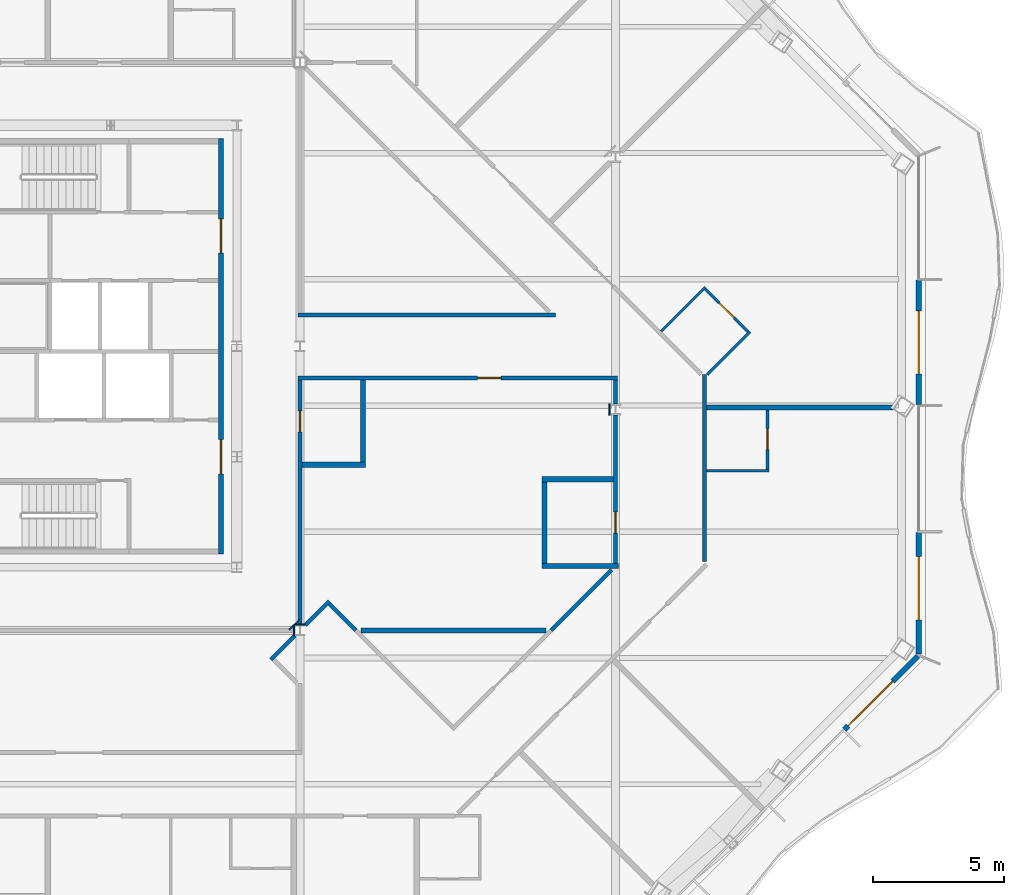
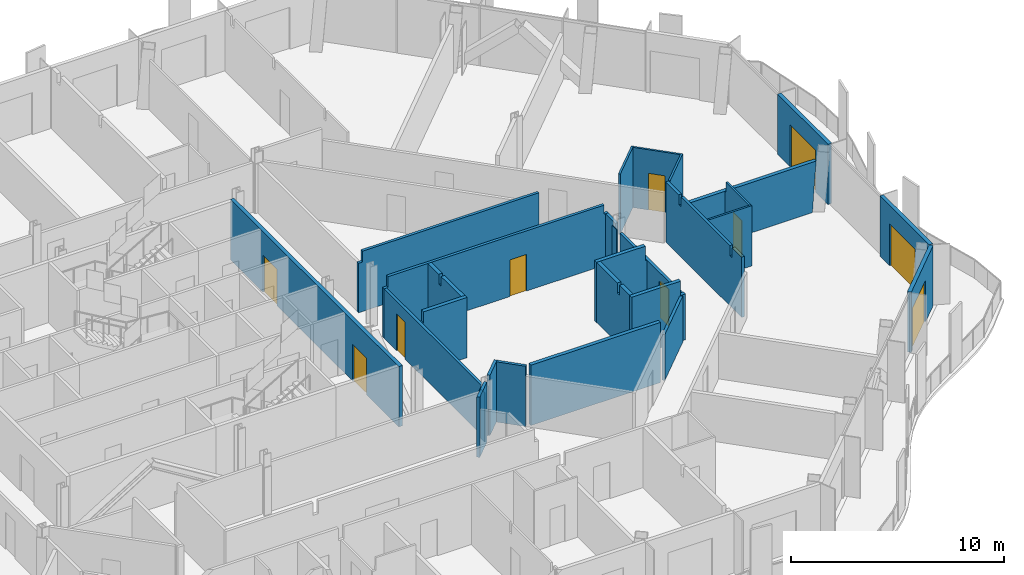
# One storey, part 10 of 19: 30 walls, 10 doors, 10 openings.
"""IFC4 building model written with IfcOpenShell, lengths in metres."""

import ifcopenshell
import ifcopenshell.guid

model = None  # the IFC model being written
_history = None  # IfcOwnerHistory: only IFC2X3 demands one
_inside = {}  # id of a spatial element -> (the spatial element, [elements in it])
_under = {}  # id of a project, library or spatial element -> (it, [spatial elements below it])
_declared = {}  # id of a project -> (the project, [libraries it declares])
_typed = {}  # id of a type object -> (the type object, [elements of that type])
_made_of = {}  # id of a material, layer set ... -> (it, [elements and type objects made of it])


def new_model(schema):
    """Start an empty IFC model of exactly this schema.

    Asked for "IFC4X3", IfcOpenShell would pick the latest addendum, in which some entities
    have other attributes; the version numbers below select the first issue.
    IFC2X3 requires an IfcOwnerHistory on every rooted entity: one is made here for all.
    """
    global model, _history
    if schema == "IFC4X3":
        model = ifcopenshell.file(schema_version=(4, 3, 0, 0))
    else:
        model = ifcopenshell.file(schema=schema)
    _inside.clear()
    _under.clear()
    _declared.clear()
    _typed.clear()
    _made_of.clear()
    _history = None
    if model.schema == "IFC2X3":
        org = make("IfcOrganization", Name="unknown")
        user = make(
            "IfcPersonAndOrganization",
            ThePerson=make("IfcPerson", FamilyName="unknown"),
            TheOrganization=org,
        )
        app = make(
            "IfcApplication",
            ApplicationDeveloper=org,
            Version="unknown",
            ApplicationFullName="unknown",
            ApplicationIdentifier="unknown",
        )
        _history = make(
            "IfcOwnerHistory",
            OwningUser=user,
            OwningApplication=app,
            ChangeAction="ADDED",
            CreationDate=0,
        )
    return model


def make(cls, **values):
    """One entity of the class cls with the attributes given. An attribute that is None is left unset."""
    return model.create_entity(
        cls, **{name: value for name, value in values.items() if value is not None}
    )


def rooted(cls, **values):
    """An entity with a GlobalId (a new one), such as an element, a storey or a relation."""
    return make(cls, GlobalId=ifcopenshell.guid.new(), OwnerHistory=_history, **values)


def si_unit(unit_type, name, prefix=None):
    """IfcSIUnit, for example si_unit("LENGTHUNIT", "METRE", prefix="MILLI")."""
    return make("IfcSIUnit", UnitType=unit_type, Prefix=prefix, Name=name)


def assignment(units):
    """IfcUnitAssignment: the units of a project."""
    return None if units is None else make("IfcUnitAssignment", Units=units)


def point(xyz):
    """IfcCartesianPoint."""
    return None if xyz is None else make("IfcCartesianPoint", Coordinates=xyz)


def direction(xyz):
    """IfcDirection."""
    return None if xyz is None else make("IfcDirection", DirectionRatios=xyz)


def frame(location, z_axis=None, x_axis=None):
    """IfcAxis2Placement3D, a coordinate frame: its origin and axes. An axis left out is left unset."""
    return make(
        "IfcAxis2Placement3D",
        Location=point(location),
        Axis=direction(z_axis),
        RefDirection=direction(x_axis),
    )


def frame_2d(location, x_axis=None):
    """IfcAxis2Placement2D, a coordinate frame in the plane: its origin and x axis."""
    return make(
        "IfcAxis2Placement2D", Location=point(location), RefDirection=direction(x_axis)
    )


def origin():
    """The frame at (0, 0, 0) with its axes left unset."""
    return frame((0.0, 0.0, 0.0))


def place(relative_to, where):
    """IfcLocalPlacement: puts the frame where relative to a parent placement (None: the world)."""
    return make(
        "IfcLocalPlacement", PlacementRelTo=relative_to, RelativePlacement=where
    )


def context(
    kind, dimensions, precision=None, world=None, true_north=None, identifier=None
):
    """IfcGeometricRepresentationContext, for example the 3D "Model" context."""
    return make(
        "IfcGeometricRepresentationContext",
        ContextIdentifier=identifier,
        ContextType=kind,
        CoordinateSpaceDimension=dimensions,
        Precision=precision,
        WorldCoordinateSystem=world,
        TrueNorth=true_north,
    )


def subcontext(parent, identifier, kind, view, scale=None):
    """IfcGeometricRepresentationSubContext, for example "Body" below "Model"."""
    return make(
        "IfcGeometricRepresentationSubContext",
        ContextIdentifier=identifier,
        ContextType=kind,
        ParentContext=parent,
        TargetScale=scale,
        TargetView=view,
    )


def project(units=None, contexts=None):
    """IfcProject with its units and contexts."""
    return rooted(
        "IfcProject",
        Name="project",
        RepresentationContexts=contexts,
        UnitsInContext=assignment(units),
    )


def spatial(cls, under=None, at=None, **own):
    """A site, building, storey or space (cls), placed at a placement, below another one or the project."""
    s = rooted(cls, ObjectPlacement=at, **own)
    if under is not None:
        _under.setdefault(under.id(), (under, []))[1].append(s)
    return s


def polyline(points):
    """IfcPolyline through the points."""
    return make("IfcPolyline", Points=[point(p) for p in points])


def profile(cls, at=None, kind="AREA", **sizes):
    """A parametric profile (cls). Its sizes go by their IFC names, for example OverallWidth=200.0."""
    return make(cls, ProfileType=kind, Position=at, **sizes)


def rectangle(**sizes):
    """IfcRectangleProfileDef."""
    return profile("IfcRectangleProfileDef", **sizes)


def outline(outer, holes=None, kind="AREA"):
    """IfcArbitraryClosedProfileDef: a profile drawn as a closed curve; with holes, ...WithVoids."""
    if holes is None:
        return make("IfcArbitraryClosedProfileDef", ProfileType=kind, OuterCurve=outer)
    return make(
        "IfcArbitraryProfileDefWithVoids",
        ProfileType=kind,
        OuterCurve=outer,
        InnerCurves=holes,
    )


def extrude(swept, where, along, depth):
    """IfcExtrudedAreaSolid: the profile swept, set in the frame where, extruded along a direction by depth."""
    return make(
        "IfcExtrudedAreaSolid",
        SweptArea=swept,
        Position=where,
        ExtrudedDirection=direction(along),
        Depth=depth,
    )


def shape(context_of_items, identifier, shape_type, items):
    """IfcShapeRepresentation: the items that make up one representation, for example the "Body"."""
    return make(
        "IfcShapeRepresentation",
        ContextOfItems=context_of_items,
        RepresentationIdentifier=identifier,
        RepresentationType=shape_type,
        Items=items,
    )


def material(Name=None, Category=None):
    """IfcMaterial."""
    return make("IfcMaterial", Name=Name, Category=Category)


def layer(
    of_material, thickness, ventilated=None, Name=None, Category=None, Priority=None
):
    """IfcMaterialLayer: one layer of a wall or slab, of a material (None: an air gap)."""
    return make(
        "IfcMaterialLayer",
        Material=of_material,
        LayerThickness=thickness,
        IsVentilated=ventilated,
        Name=Name,
        Category=Category,
        Priority=Priority,
    )


def layer_set(layers, Name=None):
    """IfcMaterialLayerSet."""
    return make("IfcMaterialLayerSet", MaterialLayers=layers, LayerSetName=Name)


def made_of(thing, what):
    """Note that an element or type object is made of a material, layer set ...; save() writes the relation."""
    if what is not None:
        _made_of.setdefault(what.id(), (what, []))[1].append(thing)
    return thing


def type_object(cls, material=None, **own):
    """A type object (cls), such as IfcWallType, which elements share."""
    return made_of(rooted(cls, **own), material)


def element(
    cls,
    number,
    at=None,
    inside=None,
    cuts=None,
    type_object=None,
    material=None,
    context=None,
    identifier="Body",
    shape_type=None,
    held_by="IfcProductDefinitionShape",
    body=None,
    shapes=None,
    **own,
):
    """One element of the class cls, such as IfcWall. Its Tag is "e" and its number.

    at: its placement. inside: the storey or other place that contains it. cuts: it is an
    opening in that element (IfcRelVoidsElement). A single representation is given by context,
    identifier, shape_type and body (its items); several are given by shapes. held_by: the class
    of the entity that holds the representations. save() writes the other relations.
    """
    e = rooted(cls, Tag="e%d" % number, ObjectPlacement=at, **own)
    if body is not None:
        shapes = [shape(context, identifier, shape_type, body)]
    if shapes is not None:
        e.Representation = make(held_by, Representations=shapes)
    if inside is not None:
        _inside.setdefault(inside.id(), (inside, []))[1].append(e)
    if cuts is not None:
        rooted(
            "IfcRelVoidsElement", RelatingBuildingElement=cuts, RelatedOpeningElement=e
        )
    if type_object is not None:
        _typed.setdefault(type_object.id(), (type_object, []))[1].append(e)
    return made_of(e, material)


def fill(opening, filler):
    """IfcRelFillsElement: the door or window that sits in an opening."""
    return rooted(
        "IfcRelFillsElement",
        RelatingOpeningElement=opening,
        RelatedBuildingElement=filler,
    )


def aggregate(whole, parts):
    """IfcRelAggregates: a whole, such as a stair, and the parts it consists of."""
    return rooted("IfcRelAggregates", RelatingObject=whole, RelatedObjects=parts)


def save(model, path):
    """Write the relations noted so far, then the file.

    IfcRelAggregates (storeys below a building ...), IfcRelContainedInSpatialStructure (elements
    in a storey), IfcRelDefinesByType, IfcRelAssociatesMaterial and IfcRelDeclares: one each for
    every whole, place, type object, material and project.
    """
    for whole, parts in _under.values():
        aggregate(whole, parts)
    for where, things in _inside.values():
        rooted(
            "IfcRelContainedInSpatialStructure",
            RelatedElements=things,
            RelatingStructure=where,
        )
    for kind, things in _typed.values():
        rooted("IfcRelDefinesByType", RelatedObjects=things, RelatingType=kind)
    for what, things in _made_of.values():
        rooted("IfcRelAssociatesMaterial", RelatedObjects=things, RelatingMaterial=what)
    for by, libraries in _declared.values():
        rooted("IfcRelDeclares", RelatingContext=by, RelatedDefinitions=libraries)
    model.write(path)


model = new_model("IFC4")

# Units and contexts
model_context = context("Model", 3, precision=1e-05, world=origin(), true_north=direction((0.0, 1.0)))
body_context = subcontext(model_context, "Body", "Model", "MODEL_VIEW")
ifc_project = project(units=[si_unit("LENGTHUNIT", "METRE"), si_unit("AREAUNIT", "SQUARE_METRE"), si_unit("VOLUMEUNIT", "CUBIC_METRE"), si_unit("PLANEANGLEUNIT", "RADIAN"), si_unit("MASSUNIT", "GRAM", prefix="KILO")], contexts=[model_context])

# Site, building, storey
site_placement = place(None, origin())
site = spatial("IfcSite", under=ifc_project, at=site_placement, CompositionType="ELEMENT")
building_placement = place(site_placement, origin())
building = spatial("IfcBuilding", under=site, at=building_placement, Name="Cairn Pilgrim Tower", CompositionType="ELEMENT")
storey_placement = place(building_placement, frame((0.0, 0.0, 197.39990234375)))
storey = spatial("IfcBuildingStorey", under=building, at=storey_placement, Name="L50", CompositionType="ELEMENT", Elevation=197.39990234375)

# Wall, opening, door
ifc_material_1 = material(Name="Bronze anodised aluminium insulated sandwich panel with mineral wool fill", Category="aluminium")
ifc_layer_1 = layer(ifc_material_1, 0.199951171875)
ifc_layer_set_1 = layer_set([ifc_layer_1], Name="BRONZE INFILL FRAME WALL 200")
wall_type_1 = type_object("IfcWallType", Name="BRONZE INFILL FRAME WALL 200", PredefinedType="NOTDEFINED", material=ifc_layer_set_1)
wall_1_placement = place(storey_placement, frame((39.8955078125, -12.176025390625, 0.0), z_axis=(0.0, 0.0, 1.0), x_axis=(0.707106781187, 0.707106781187, 0.0)))
wall_1 = element("IfcWall", 1, at=wall_1_placement, inside=storey, type_object=wall_type_1, Name="Bronze infill frame wall IW-SE5", PredefinedType="NOTDEFINED", context=body_context, shape_type="SweptSolid", body=[
    extrude(rectangle(XDim=3.961669921875, YDim=0.199951171875, at=frame_2d((1.98095703125, 0.0))), origin(), (0.0, 0.0, 1.0), 3.4501953125),
])
opening_1_placement = place(wall_1_placement, frame((0.199951171875, 0.0, 0.0)))
opening_1 = element("IfcOpeningElement", 2, at=opening_1_placement, cuts=wall_1, Name="Opening 5004B", PredefinedType="OPENING", context=body_context, shape_type="SweptSolid", body=[
    extrude(rectangle(XDim=2.39990234375, YDim=2.39990234375, at=frame_2d((1.199951171875, 1.199951171875))), frame((0.0, 0.10986328125, 0.0), z_axis=(0.0, -1.0, 0.0), x_axis=(1.0, 0.0, 0.0)), (0.0, 0.0, 1.0), 0.219970703125),
])
ifc_material_2 = material(Name="Bronze anodised aluminium frame with tinted low-E glass", Category="aluminium")
door_type_1 = type_object("IfcDoorType", Name="BALCONY SLIDING DOOR 2400x2400", OperationType="DOUBLE_DOOR_SLIDING", PredefinedType="DOOR", material=ifc_material_2)
door_1_placement = place(opening_1_placement, origin())
door_1 = element("IfcDoor", 3, at=door_1_placement, inside=storey, type_object=door_type_1, Name="Balcony sliding door 5004B", OperationType="SINGLE_SWING_LEFT", OverallHeight=2.39990234375, OverallWidth=2.39990234375, PredefinedType="DOOR", context=body_context, shape_type="SweptSolid", body=[
    extrude(rectangle(XDim=2.39990234375, YDim=2.39990234375, at=frame_2d((1.199951171875, 1.199951171875))), frame((0.0, 0.02490234375, 0.0), z_axis=(0.0, -1.0, 0.0), x_axis=(1.0, 0.0, 0.0)), (0.0, 0.0, 1.0), 0.050048828125),
])
fill(opening_1, door_1)

wall_2_placement = place(storey_placement, frame((42.72509765625, -9.306396484375, 0.0), z_axis=(0.0, 0.0, 1.0), x_axis=(0.0, 1.0, 0.0)))
wall_2 = element("IfcWall", 4, at=wall_2_placement, inside=storey, type_object=wall_type_1, Name="Bronze infill frame wall IW-E1", PredefinedType="NOTDEFINED", context=body_context, shape_type="SweptSolid", body=[
    extrude(rectangle(XDim=4.62646484375, YDim=0.199951171875, at=frame_2d((2.313232421875, 0.0))), origin(), (0.0, 0.0, 1.0), 3.4501953125),
])
opening_2_placement = place(wall_2_placement, frame((1.308349609375, 0.0, 0.0)))
opening_2 = element("IfcOpeningElement", 5, at=opening_2_placement, cuts=wall_2, Name="Opening 5004B2", PredefinedType="OPENING", context=body_context, shape_type="SweptSolid", body=[
    extrude(rectangle(XDim=2.39990234375, YDim=2.39990234375, at=frame_2d((1.199951171875, 1.199951171875))), frame((0.0, 0.10986328125, 0.0), z_axis=(0.0, -1.0, 0.0), x_axis=(1.0, 0.0, 0.0)), (0.0, 0.0, 1.0), 0.219970703125),
])
door_2_placement = place(opening_2_placement, origin())
door_2 = element("IfcDoor", 6, at=door_2_placement, inside=storey, type_object=door_type_1, Name="Balcony sliding door 5004B2", OperationType="SINGLE_SWING_LEFT", OverallHeight=2.39990234375, OverallWidth=2.39990234375, PredefinedType="DOOR", context=body_context, shape_type="SweptSolid", body=[
    extrude(rectangle(XDim=2.39990234375, YDim=2.39990234375, at=frame_2d((1.199951171875, 1.199951171875))), frame((0.0, 0.02490234375, 0.0), z_axis=(0.0, -1.0, 0.0), x_axis=(1.0, 0.0, 0.0)), (0.0, 0.0, 1.0), 0.050048828125),
])
fill(opening_2, door_2)

wall_3_placement = place(storey_placement, frame((42.72509765625, 0.179931640625, 0.0), z_axis=(0.0, 0.0, 1.0), x_axis=(0.0, 1.0, 0.0)))
wall_3 = element("IfcWall", 7, at=wall_3_placement, inside=storey, type_object=wall_type_1, Name="Bronze infill frame wall IW-E3", PredefinedType="NOTDEFINED", context=body_context, shape_type="SweptSolid", body=[
    extrude(rectangle(XDim=4.739990234375, YDim=0.199951171875, at=frame_2d((2.3701171875, 0.0))), origin(), (0.0, 0.0, 1.0), 3.4501953125),
])
opening_3_placement = place(wall_3_placement, frame((1.169921875, 0.0, 0.0)))
opening_3 = element("IfcOpeningElement", 8, at=opening_3_placement, cuts=wall_3, Name="Opening 5005B", PredefinedType="OPENING", context=body_context, shape_type="SweptSolid", body=[
    extrude(rectangle(XDim=2.39990234375, YDim=2.39990234375, at=frame_2d((1.199951171875, 1.199951171875))), frame((0.0, 0.10986328125, 0.0), z_axis=(0.0, -1.0, 0.0), x_axis=(1.0, 0.0, 0.0)), (0.0, 0.0, 1.0), 0.219970703125),
])
door_3_placement = place(opening_3_placement, origin())
door_3 = element("IfcDoor", 9, at=door_3_placement, inside=storey, type_object=door_type_1, Name="Balcony sliding door 5005B", OperationType="SINGLE_SWING_LEFT", OverallHeight=2.39990234375, OverallWidth=2.39990234375, PredefinedType="DOOR", context=body_context, shape_type="SweptSolid", body=[
    extrude(rectangle(XDim=2.39990234375, YDim=2.39990234375, at=frame_2d((1.199951171875, 1.199951171875))), frame((0.0, 0.02490234375, 0.0), z_axis=(0.0, -1.0, 0.0), x_axis=(1.0, 0.0, 0.0)), (0.0, 0.0, 1.0), 0.050048828125),
])
fill(opening_3, door_3)

# Wall, openings, doors
ifc_material_3 = material(Name="Concrete C32/40", Category="concrete")
ifc_layer_2 = layer(ifc_material_3, 0.199951171875)
ifc_layer_set_2 = layer_set([ifc_layer_2], Name="CORE OUTER WALL 200 EI 120")
wall_type_2 = type_object("IfcWallType", Name="CORE OUTER WALL 200 EI 120", PredefinedType="SOLIDWALL", material=ifc_layer_set_2)
wall_4_placement = place(storey_placement, frame((16.199951171875, -5.5, 0.0), z_axis=(0.0, 0.0, 1.0), x_axis=(0.0, 1.0, 0.0)))
wall_4 = element("IfcWall", 10, at=wall_4_placement, inside=storey, type_object=wall_type_2, Name="CW:L50:V30", PredefinedType="SOLIDWALL", context=body_context, shape_type="SweptSolid", body=[
    extrude(rectangle(XDim=15.800048828125, YDim=0.199951171875, at=frame_2d((7.89990234375, 0.0))), origin(), (0.0, 0.0, 1.0), 3.4501953125),
])
opening_4_placement = place(wall_4_placement, frame((3.050048828125, 0.0, 0.0)))
opening_4 = element("IfcOpeningElement", 11, at=opening_4_placement, cuts=wall_4, Name="Opening CD-E1", PredefinedType="OPENING", context=body_context, shape_type="SweptSolid", body=[
    extrude(rectangle(XDim=1.300048828125, YDim=2.10009765625, at=frame_2d((0.64990234375, 1.050048828125))), frame((0.0, 0.10986328125, 0.0), z_axis=(0.0, -1.0, 0.0), x_axis=(1.0, 0.0, 0.0)), (0.0, 0.0, 1.0), 0.219970703125),
])
opening_5_placement = place(wall_4_placement, frame((11.449951171875, 0.0, 0.0)))
opening_5 = element("IfcOpeningElement", 12, at=opening_5_placement, cuts=wall_4, Name="Opening CD-E2", PredefinedType="OPENING", context=body_context, shape_type="SweptSolid", body=[
    extrude(rectangle(XDim=1.300048828125, YDim=2.10009765625, at=frame_2d((0.64990234375, 1.050048828125))), frame((0.0, 0.10986328125, 0.0), z_axis=(0.0, -1.0, 0.0), x_axis=(1.0, 0.0, 0.0)), (0.0, 0.0, 1.0), 0.219970703125),
])
ifc_material_4 = material(Name="Painted steel", Category="steel")
door_type_2 = type_object("IfcDoorType", Name="CORE LOBBY DOOR 1300x2100", OperationType="DOUBLE_DOOR_SINGLE_SWING", PredefinedType="DOOR", material=ifc_material_4)
door_4_placement = place(opening_4_placement, origin())
door_4 = element("IfcDoor", 13, at=door_4_placement, inside=storey, type_object=door_type_2, Name="CD-E1", OperationType="DOUBLE_DOOR_SINGLE_SWING", OverallHeight=2.10009765625, OverallWidth=1.300048828125, PredefinedType="DOOR", context=body_context, shape_type="SweptSolid", body=[
    extrude(rectangle(XDim=1.300048828125, YDim=2.10009765625, at=frame_2d((0.64990234375, 1.050048828125))), frame((0.0, 0.02490234375, 0.0), z_axis=(0.0, -1.0, 0.0), x_axis=(1.0, 0.0, 0.0)), (0.0, 0.0, 1.0), 0.050048828125),
])
fill(opening_4, door_4)
door_5_placement = place(opening_5_placement, origin())
door_5 = element("IfcDoor", 14, at=door_5_placement, inside=storey, type_object=door_type_2, Name="CD-E2", OperationType="DOUBLE_DOOR_SINGLE_SWING", OverallHeight=2.10009765625, OverallWidth=1.300048828125, PredefinedType="DOOR", context=body_context, shape_type="SweptSolid", body=[
    extrude(rectangle(XDim=1.300048828125, YDim=2.10009765625, at=frame_2d((0.64990234375, 1.050048828125))), frame((0.0, 0.02490234375, 0.0), z_axis=(0.0, -1.0, 0.0), x_axis=(1.0, 0.0, 0.0)), (0.0, 0.0, 1.0), 0.050048828125),
])
fill(opening_5, door_5)

# Wall
ifc_material_5 = material(Name="Gypsum partition")
ifc_layer_3 = layer(ifc_material_5, 0.10009765625)
ifc_layer_set_3 = layer_set([ifc_layer_3], Name="PARTITION 100 DRYWALL")
wall_type_3 = type_object("IfcWallType", Name="PARTITION 100 DRYWALL", PredefinedType="PARTITIONING", material=ifc_layer_set_3)
wall_5_placement = place(storey_placement, frame((34.64990234375, -2.324951171875, 0.0), z_axis=(0.0, 0.0, 1.0), x_axis=(1.0, 0.0, 0.0)))
element("IfcWall", 15, at=wall_5_placement, inside=storey, type_object=wall_type_3, Name="PARTITION W052", PredefinedType="PARTITIONING", context=body_context, shape_type="SweptSolid", body=[
    extrude(rectangle(XDim=2.375, YDim=0.10009765625, at=frame_2d((1.1875, 0.0))), origin(), (0.0, 0.0, 1.0), 3.4501953125),
])

# Wall, opening, door
wall_6_placement = place(storey_placement, frame((36.97509765625, -2.27490234375, 0.0), z_axis=(0.0, 0.0, 1.0), x_axis=(0.0, 1.0, 0.0)))
wall_6 = element("IfcWall", 16, at=wall_6_placement, inside=storey, type_object=wall_type_3, Name="PARTITION W053", PredefinedType="PARTITIONING", context=body_context, shape_type="SweptSolid", body=[
    extrude(outline(polyline([(0.0, 0.0), (2.25, 0.0), (2.25, 2.880126953125), (2.169921875, 2.880126953125), (2.16796875, 3.4501953125), (0.0, 3.4501953125), (0.0, 0.0)])), frame((0.0, 0.050048828125, 0.0), z_axis=(0.0, -1.0, 0.0), x_axis=(1.0, 0.0, 0.0)), (0.0, 0.0, 1.0), 0.10009765625),
])
opening_6_placement = place(wall_6_placement, frame((0.75, 0.0, 0.0)))
opening_6 = element("IfcOpeningElement", 17, at=opening_6_placement, cuts=wall_6, Name="Opening 5004A", PredefinedType="OPENING", context=body_context, shape_type="SweptSolid", body=[
    extrude(rectangle(XDim=0.800048828125, YDim=2.10009765625, at=frame_2d((0.39990234375, 1.050048828125))), frame((0.0, 0.06005859375, 0.0), z_axis=(0.0, -1.0, 0.0), x_axis=(1.0, 0.0, 0.0)), (0.0, 0.0, 1.0), 0.1201171875),
])
ifc_material_6 = material(Name="Timber door leaf", Category="wood")
door_type_3 = type_object("IfcDoorType", Name="WC DOOR 800x2100", OperationType="NOTDEFINED", PredefinedType="DOOR", material=ifc_material_6)
door_6_placement = place(opening_6_placement, frame((0.800048828125, 0.0, 0.0), z_axis=(0.0, 0.0, 1.0), x_axis=(-1.0, 0.0, 0.0)))
door_6 = element("IfcDoor", 18, at=door_6_placement, inside=storey, type_object=door_type_3, Name="DOOR 5004A", OperationType="SINGLE_SWING_LEFT", OverallHeight=2.10009765625, OverallWidth=0.800048828125, PredefinedType="DOOR", context=body_context, shape_type="SweptSolid", body=[
    extrude(rectangle(XDim=0.800048828125, YDim=2.10009765625, at=frame_2d((0.39990234375, 1.050048828125))), frame((0.0, 0.02490234375, 0.0), z_axis=(0.0, -1.0, 0.0), x_axis=(1.0, 0.0, 0.0)), (0.0, 0.0, 1.0), 0.050048828125),
])
fill(opening_6, door_6)

# Walls
wall_7_placement = place(storey_placement, frame((34.685302734375, 1.329345703125, 0.0), z_axis=(0.0, 0.0, 1.0), x_axis=(0.707106781187, 0.707106781187, 0.0)))
element("IfcWall", 19, at=wall_7_placement, inside=storey, type_object=wall_type_3, Name="PARTITION W062", PredefinedType="PARTITIONING", context=body_context, shape_type="SweptSolid", body=[
    extrude(rectangle(XDim=2.2939453125, YDim=0.10009765625, at=frame_2d((1.14697265625, 0.0))), origin(), (0.0, 0.0, 1.0), 3.4501953125),
])
wall_8_placement = place(storey_placement, frame((32.930908203125, 2.968994140625, 0.0), z_axis=(0.0, 0.0, 1.0), x_axis=(0.707158179099, 0.707055379538, 0.0)))
element("IfcWall", 20, at=wall_8_placement, inside=storey, type_object=wall_type_3, Name="PARTITION W064", PredefinedType="PARTITIONING", context=body_context, shape_type="SweptSolid", body=[
    extrude(rectangle(XDim=2.375, YDim=0.10009765625, at=frame_2d((1.1875, 0.0))), origin(), (0.0, 0.0, 1.0), 3.4501953125),
])

# Wall, opening, door
wall_9_placement = place(storey_placement, frame((36.236572265625, 2.951416015625, 0.0), z_axis=(0.0, 0.0, 1.0), x_axis=(-0.707106781187, 0.707106781187, 0.0)))
wall_9 = element("IfcWall", 21, at=wall_9_placement, inside=storey, type_object=wall_type_3, Name="PARTITION W065", PredefinedType="PARTITIONING", context=body_context, shape_type="SweptSolid", body=[
    extrude(rectangle(XDim=2.2998046875, YDim=0.10009765625, at=frame_2d((1.14990234375, 0.0))), origin(), (0.0, 0.0, 1.0), 3.4501953125),
])
opening_7_placement = place(wall_9_placement, frame((0.75, 0.0, 0.0)))
opening_7 = element("IfcOpeningElement", 22, at=opening_7_placement, cuts=wall_9, Name="Opening 5005A", PredefinedType="OPENING", context=body_context, shape_type="SweptSolid", body=[
    extrude(rectangle(XDim=0.800048828125, YDim=2.10009765625, at=frame_2d((0.39990234375, 1.050048828125))), frame((0.0, 0.06005859375, 0.0), z_axis=(0.0, -1.0, 0.0), x_axis=(1.0, 0.0, 0.0)), (0.0, 0.0, 1.0), 0.1201171875),
])
door_7_placement = place(opening_7_placement, frame((0.800048828125, 0.0, 0.0), z_axis=(0.0, 0.0, 1.0), x_axis=(-1.0, 0.0, 0.0)))
door_7 = element("IfcDoor", 23, at=door_7_placement, inside=storey, type_object=door_type_3, Name="DOOR 5005A", OperationType="SINGLE_SWING_LEFT", OverallHeight=2.10009765625, OverallWidth=0.800048828125, PredefinedType="DOOR", context=body_context, shape_type="SweptSolid", body=[
    extrude(rectangle(XDim=0.800048828125, YDim=2.10009765625, at=frame_2d((0.39990234375, 1.050048828125))), frame((0.0, 0.02490234375, 0.0), z_axis=(0.0, -1.0, 0.0), x_axis=(1.0, 0.0, 0.0)), (0.0, 0.0, 1.0), 0.050048828125),
])
fill(opening_7, door_7)

# Walls
ifc_layer_4 = layer(ifc_material_5, 0.14990234375)
ifc_layer_set_4 = layer_set([ifc_layer_4], Name="PARTITION 150 DRYWALL EI 60")
wall_type_4 = type_object("IfcWallType", Name="PARTITION 150 DRYWALL EI 60", PredefinedType="PARTITIONING", material=ifc_layer_set_4)
wall_10_placement = place(storey_placement, frame((18.0859375, -9.513916015625, 0.0), z_axis=(0.0, 0.0, 1.0), x_axis=(0.707106781187, 0.707106781187, 0.0)))
element("IfcWall", 24, at=wall_10_placement, inside=storey, type_object=wall_type_4, Name="PARTITION W035", PredefinedType="PARTITIONING", context=body_context, shape_type="SweptSolid", body=[
    extrude(rectangle(XDim=1.29541015625, YDim=0.14990234375, at=frame_2d((0.647705078125, 0.0))), origin(), (0.0, 0.0, 1.0), 3.4501953125),
])
wall_11_placement = place(storey_placement, frame((21.321044921875, -8.39990234375, 0.0), z_axis=(0.0, 0.0, 1.0), x_axis=(-0.706763941595, 0.707449454633, 0.0)))
element("IfcWall", 25, at=wall_11_placement, inside=storey, type_object=wall_type_4, Name="PARTITION W039", PredefinedType="PARTITIONING", context=body_context, shape_type="SweptSolid", body=[
    extrude(rectangle(XDim=1.424560546875, YDim=0.14990234375, at=frame_2d((0.71240234375, 0.0))), origin(), (0.0, 0.0, 1.0), 3.4501953125),
])
wall_12_placement = place(storey_placement, frame((28.751953125, -8.39990234375, 0.0), z_axis=(0.0, 0.0, 1.0), x_axis=(0.707144390249, 0.707069170124, 0.0)))
element("IfcWall", 26, at=wall_12_placement, inside=storey, type_object=wall_type_4, Name="PARTITION W041", PredefinedType="PARTITIONING", context=body_context, shape_type="SweptSolid", body=[
    extrude(rectangle(XDim=3.24560546875, YDim=0.14990234375, at=frame_2d((1.622802734375, 0.0))), origin(), (0.0, 0.0, 1.0), 2.630126953125),
])

# Wall, opening, door
wall_13_placement = place(storey_placement, frame((19.199951171875, -8.20361328125, 0.0), z_axis=(0.0, 0.0, 1.0), x_axis=(0.0, 1.0, 0.0)))
wall_13 = element("IfcWall", 27, at=wall_13_placement, inside=storey, type_object=wall_type_4, Name="PARTITION W043", PredefinedType="PARTITIONING", context=body_context, shape_type="SweptSolid", body=[
    extrude(rectangle(XDim=9.32861328125, YDim=0.14990234375, at=frame_2d((4.664306640625, 0.0))), origin(), (0.0, 0.0, 1.0), 2.830078125),
])
opening_8_placement = place(wall_13_placement, frame((7.353515625, 0.0, 0.0)))
opening_8 = element("IfcOpeningElement", 28, at=opening_8_placement, cuts=wall_13, Name="Opening 5019", PredefinedType="OPENING", context=body_context, shape_type="SweptSolid", body=[
    extrude(rectangle(XDim=0.800048828125, YDim=2.10009765625, at=frame_2d((0.39990234375, 1.050048828125))), frame((0.0, 0.0849609375, 0.0), z_axis=(0.0, -1.0, 0.0), x_axis=(1.0, 0.0, 0.0)), (0.0, 0.0, 1.0), 0.169921875),
])
door_type_4 = type_object("IfcDoorType", Name="WC DOOR 800x2100 FD30S", OperationType="NOTDEFINED", PredefinedType="DOOR", material=ifc_material_6)
door_8_placement = place(opening_8_placement, frame((0.800048828125, 0.0, 0.0), z_axis=(0.0, 0.0, 1.0), x_axis=(-1.0, 0.0, 0.0)))
door_8 = element("IfcDoor", 29, at=door_8_placement, inside=storey, type_object=door_type_4, Name="DOOR 5019", OperationType="SINGLE_SWING_RIGHT", OverallHeight=2.10009765625, OverallWidth=0.800048828125, PredefinedType="DOOR", context=body_context, shape_type="SweptSolid", body=[
    extrude(rectangle(XDim=0.800048828125, YDim=2.10009765625, at=frame_2d((0.39990234375, 1.050048828125))), frame((0.0, 0.02490234375, 0.0), z_axis=(0.0, -1.0, 0.0), x_axis=(1.0, 0.0, 0.0)), (0.0, 0.0, 1.0), 0.050048828125),
])
fill(opening_8, door_8)

# Wall
wall_14_placement = place(storey_placement, frame((19.39794921875, -8.201904296875, 0.0), z_axis=(0.0, 0.0, 1.0), x_axis=(0.707200993001, 0.707012556818, 0.0)))
element("IfcWall", 30, at=wall_14_placement, inside=storey, type_object=wall_type_4, Name="PARTITION W044", PredefinedType="PARTITIONING", context=body_context, shape_type="SweptSolid", body=[
    extrude(rectangle(XDim=1.295654296875, YDim=0.14990234375, at=frame_2d((0.64794921875, 0.0))), origin(), (0.0, 0.0, 1.0), 3.4501953125),
])

# Wall, opening, door
wall_15_placement = place(storey_placement, frame((31.199951171875, -5.85205078125, 0.0), z_axis=(0.0, 0.0, 1.0), x_axis=(0.0, 1.0, 0.0)))
wall_15 = element("IfcWall", 31, at=wall_15_placement, inside=storey, type_object=wall_type_4, Name="PARTITION W047", PredefinedType="PARTITIONING", context=body_context, shape_type="SweptSolid", body=[
    extrude(rectangle(XDim=5.6396484375, YDim=0.14990234375, at=frame_2d((2.81982421875, 0.0))), origin(), (0.0, 0.0, 1.0), 2.630126953125),
])
opening_9_placement = place(wall_15_placement, frame((1.14990234375, 0.0, 0.0)))
opening_9 = element("IfcOpeningElement", 32, at=opening_9_placement, cuts=wall_15, Name="Opening 5018", PredefinedType="OPENING", context=body_context, shape_type="SweptSolid", body=[
    extrude(rectangle(XDim=0.800048828125, YDim=2.10009765625, at=frame_2d((0.39990234375, 1.050048828125))), frame((0.0, 0.0849609375, 0.0), z_axis=(0.0, -1.0, 0.0), x_axis=(1.0, 0.0, 0.0)), (0.0, 0.0, 1.0), 0.169921875),
])
door_9_placement = place(opening_9_placement, origin())
door_9 = element("IfcDoor", 33, at=door_9_placement, inside=storey, type_object=door_type_4, Name="DOOR 5018", OperationType="SINGLE_SWING_RIGHT", OverallHeight=2.10009765625, OverallWidth=0.800048828125, PredefinedType="DOOR", context=body_context, shape_type="SweptSolid", body=[
    extrude(rectangle(XDim=0.800048828125, YDim=2.10009765625, at=frame_2d((0.39990234375, 1.050048828125))), frame((0.0, 0.02490234375, 0.0), z_axis=(0.0, -1.0, 0.0), x_axis=(1.0, 0.0, 0.0)), (0.0, 0.0, 1.0), 0.050048828125),
])
fill(opening_9, door_9)

# Walls
wall_16_placement = place(storey_placement, frame((34.574951171875, -5.789794921875, 0.0), z_axis=(0.0, 0.0, 1.0), x_axis=(0.0, 1.0, 0.0)))
element("IfcWall", 34, at=wall_16_placement, inside=storey, type_object=wall_type_4, Name="PARTITION W048", PredefinedType="PARTITIONING", context=body_context, shape_type="SweptSolid", body=[
    extrude(outline(polyline([(0.0, 0.0), (7.114990234375, 0.0), (7.114990234375, 3.4501953125), (5.89501953125, 3.4501953125), (5.892822265625, 2.880126953125), (5.684814453125, 2.880126953125), (5.682861328125, 3.4501953125), (1.094970703125, 3.4501953125), (1.093017578125, 2.880126953125), (0.885009765625, 2.880126953125), (0.8828125, 3.4501953125), (0.0, 3.4501953125), (0.0, 0.0)])), frame((0.0, 0.074951171875, 0.0), z_axis=(0.0, -1.0, 0.0), x_axis=(1.0, 0.0, 0.0)), (0.0, 0.0, 1.0), 0.14990234375),
])
wall_17_placement = place(storey_placement, frame((31.199951171875, 0.21240234375, 0.0), z_axis=(0.0, 0.0, 1.0), x_axis=(0.0, 1.0, 0.0)))
element("IfcWall", 35, at=wall_17_placement, inside=storey, type_object=wall_type_4, Name="PARTITION W059", PredefinedType="PARTITIONING", context=body_context, shape_type="SweptSolid", body=[
    extrude(rectangle(XDim=0.91259765625, YDim=0.14990234375, at=frame_2d((0.456298828125, 0.0))), origin(), (0.0, 0.0, 1.0), 2.93017578125),
])

# Wall, opening, door
wall_18_placement = place(storey_placement, frame((19.125, 1.199951171875, 0.0), z_axis=(0.0, 0.0, 1.0), x_axis=(1.0, 0.0, 0.0)))
wall_18 = element("IfcWall", 36, at=wall_18_placement, inside=storey, type_object=wall_type_4, Name="PARTITION W060", PredefinedType="PARTITIONING", context=body_context, shape_type="SweptSolid", body=[
    extrude(outline(polyline([(0.0, 0.0), (12.14990234375, 0.0), (12.14990234375, 2.93017578125), (11.925048828125, 2.93017578125), (11.923095703125, 3.4501953125), (0.22509765625, 3.4501953125), (0.222900390625, 2.830078125), (0.0, 2.830078125), (0.0, 0.0)])), frame((0.0, 0.074951171875, 0.0), z_axis=(0.0, -1.0, 0.0), x_axis=(1.0, 0.0, 0.0)), (0.0, 0.0, 1.0), 0.14990234375),
])
opening_10_placement = place(wall_18_placement, frame((6.824951171875, 0.0, 0.0)))
opening_10 = element("IfcOpeningElement", 37, at=opening_10_placement, cuts=wall_18, Name="Opening 5021", PredefinedType="OPENING", context=body_context, shape_type="SweptSolid", body=[
    extrude(rectangle(XDim=0.89990234375, YDim=2.10009765625, at=frame_2d((0.449951171875, 1.050048828125))), frame((0.0, 0.0849609375, 0.0), z_axis=(0.0, -1.0, 0.0), x_axis=(1.0, 0.0, 0.0)), (0.0, 0.0, 1.0), 0.169921875),
])
door_type_5 = type_object("IfcDoorType", Name="SERVICE DOOR 900x2100 FD30S", OperationType="NOTDEFINED", PredefinedType="DOOR", material=ifc_material_6)
door_10_placement = place(opening_10_placement, frame((0.89990234375, 0.0, 0.0), z_axis=(0.0, 0.0, 1.0), x_axis=(-1.0, 0.0, 0.0)))
door_10 = element("IfcDoor", 38, at=door_10_placement, inside=storey, type_object=door_type_5, Name="DOOR 5021", OperationType="SINGLE_SWING_LEFT", OverallHeight=2.10009765625, OverallWidth=0.89990234375, PredefinedType="DOOR", context=body_context, shape_type="SweptSolid", body=[
    extrude(rectangle(XDim=0.89990234375, YDim=2.10009765625, at=frame_2d((0.449951171875, 1.050048828125))), frame((0.0, 0.02490234375, 0.0), z_axis=(0.0, -1.0, 0.0), x_axis=(1.0, 0.0, 0.0)), (0.0, 0.0, 1.0), 0.050048828125),
])
fill(opening_10, door_10)

# Walls
wall_19_placement = place(storey_placement, frame((19.125, 3.60009765625, 0.0), z_axis=(0.0, 0.0, 1.0), x_axis=(1.0, 0.0, 0.0)))
element("IfcWall", 39, at=wall_19_placement, inside=storey, type_object=wall_type_4, Name="PARTITION W066", PredefinedType="PARTITIONING", context=body_context, shape_type="SweptSolid", body=[
    extrude(outline(polyline([(0.0, 0.0), (9.781005859375, 0.0), (9.781005859375, 3.4501953125), (0.22509765625, 3.4501953125), (0.222900390625, 2.830078125), (0.0, 2.830078125), (0.0, 0.0)])), frame((0.0, 0.074951171875, 0.0), z_axis=(0.0, -1.0, 0.0), x_axis=(1.0, 0.0, 0.0)), (0.0, 0.0, 1.0), 0.14990234375),
])
ifc_layer_5 = layer(ifc_material_5, 0.050048828125)
ifc_layer_set_5 = layer_set([ifc_layer_5], Name="PARTITION 50 DRYWALL EI 60")
wall_type_5 = type_object("IfcWallType", Name="PARTITION 50 DRYWALL EI 60", PredefinedType="PARTITIONING", material=ifc_layer_set_5)
wall_20_placement = place(storey_placement, frame((18.786376953125, -8.38232421875, 0.0), z_axis=(0.0, 0.0, 1.0), x_axis=(0.707106781187, 0.707106781187, 0.0)))
element("IfcWall", 40, at=wall_20_placement, inside=storey, type_object=wall_type_5, Name="COLUMN CASING WC10", PredefinedType="PARTITIONING", context=body_context, shape_type="SweptSolid", body=[
    extrude(rectangle(XDim=0.56005859375, YDim=0.050048828125, at=frame_2d((0.280029296875, 0.0))), origin(), (0.0, 0.0, 1.0), 2.830078125),
])
wall_21_placement = place(storey_placement, frame((19.00048828125, -8.178466796875, 0.0), z_axis=(0.0, 0.0, 1.0), x_axis=(1.0, 0.0, 0.0)))
element("IfcWall", 41, at=wall_21_placement, inside=storey, type_object=wall_type_5, Name="COLUMN CASING WC13", PredefinedType="PARTITIONING", context=body_context, shape_type="SweptSolid", body=[
    extrude(rectangle(XDim=0.39892578125, YDim=0.050048828125, at=frame_2d((0.199462890625, 0.0))), origin(), (0.0, 0.0, 1.0), 2.830078125),
])
wall_22_placement = place(storey_placement, frame((18.9755859375, -8.596435546875, 0.0), z_axis=(0.0, 0.0, 1.0), x_axis=(0.0, 1.0, 0.0)))
element("IfcWall", 42, at=wall_22_placement, inside=storey, type_object=wall_type_5, Name="COLUMN CASING WC14", PredefinedType="PARTITIONING", context=body_context, shape_type="SweptSolid", body=[
    extrude(rectangle(XDim=0.392822265625, YDim=0.050048828125, at=frame_2d((0.1962890625, 0.0))), origin(), (0.0, 0.0, 1.0), 2.830078125),
])
wall_23_placement = place(storey_placement, frame((30.970458984375, -0.21240234375, 0.0), z_axis=(0.0, 0.0, 1.0), x_axis=(0.0, 1.0, 0.0)))
element("IfcWall", 43, at=wall_23_placement, inside=storey, type_object=wall_type_5, Name="COLUMN CASING WC15", PredefinedType="PARTITIONING", context=body_context, shape_type="SweptSolid", body=[
    extrude(rectangle(XDim=0.4248046875, YDim=0.050048828125, at=frame_2d((0.21240234375, 0.0))), origin(), (0.0, 0.0, 1.0), 2.880126953125),
])
ifc_layer_6 = layer(ifc_material_5, 0.199951171875)
ifc_layer_set_6 = layer_set([ifc_layer_6], Name="SHAFT WALL 200 GYPSUM EI 60")
wall_type_6 = type_object("IfcWallType", Name="SHAFT WALL 200 GYPSUM EI 60", PredefinedType="PARTITIONING", material=ifc_layer_set_6)
wall_24_placement = place(storey_placement, frame((21.52685546875, -8.39990234375, 0.0), z_axis=(0.0, 0.0, 1.0), x_axis=(1.0, 0.0, 0.0)))
element("IfcWall", 44, at=wall_24_placement, inside=storey, type_object=wall_type_6, Name="PARTITION W040", PredefinedType="PARTITIONING", context=body_context, shape_type="SweptSolid", body=[
    extrude(rectangle(XDim=7.01904296875, YDim=0.199951171875, at=frame_2d((3.509521484375, 0.0))), origin(), (0.0, 0.0, 1.0), 3.4501953125),
])
wall_25_placement = place(storey_placement, frame((28.39990234375, -5.951904296875, 0.0), z_axis=(0.0, 0.0, 1.0), x_axis=(1.0, 0.0, 0.0)))
element("IfcWall", 45, at=wall_25_placement, inside=storey, type_object=wall_type_6, Name="PARTITION W045", PredefinedType="PARTITIONING", context=body_context, shape_type="SweptSolid", body=[
    extrude(outline(polyline([(0.0, 0.0), (2.91650390625, 0.0), (2.91650390625, 2.630126953125), (2.64990234375, 2.630126953125), (2.64794921875, 3.4501953125), (0.0, 3.4501953125), (0.0, 0.0)])), frame((0.0, 0.10009765625, 0.0), z_axis=(0.0, -1.0, 0.0), x_axis=(1.0, 0.0, 0.0)), (0.0, 0.0, 1.0), 0.199951171875),
])
wall_26_placement = place(storey_placement, frame((28.5, -5.85205078125, 0.0), z_axis=(0.0, 0.0, 1.0), x_axis=(0.0, 1.0, 0.0)))
element("IfcWall", 46, at=wall_26_placement, inside=storey, type_object=wall_type_6, Name="PARTITION W046", PredefinedType="PARTITIONING", context=body_context, shape_type="SweptSolid", body=[
    extrude(outline(polyline([(0.0, 0.0), (3.10009765625, 0.0), (3.10009765625, 3.4501953125), (1.156982421875, 3.4501953125), (1.155029296875, 2.880126953125), (0.947021484375, 2.880126953125), (0.945068359375, 3.4501953125), (0.0, 3.4501953125), (0.0, 0.0)])), frame((0.0, 0.10009765625, 0.0), z_axis=(0.0, -1.0, 0.0), x_axis=(1.0, 0.0, 0.0)), (0.0, 0.0, 1.0), 0.199951171875),
])
wall_27_placement = place(storey_placement, frame((28.39990234375, -2.652099609375, 0.0), z_axis=(0.0, 0.0, 1.0), x_axis=(1.0, 0.0, 0.0)))
element("IfcWall", 47, at=wall_27_placement, inside=storey, type_object=wall_type_6, Name="PARTITION W049", PredefinedType="PARTITIONING", context=body_context, shape_type="SweptSolid", body=[
    extrude(outline(polyline([(0.0, 0.0), (2.72509765625, 0.0), (2.72509765625, 2.630126953125), (2.64990234375, 2.630126953125), (2.64794921875, 3.4501953125), (0.0, 3.4501953125), (0.0, 0.0)])), frame((0.0, 0.10009765625, 0.0), z_axis=(0.0, -1.0, 0.0), x_axis=(1.0, 0.0, 0.0)), (0.0, 0.0, 1.0), 0.199951171875),
])
wall_28_placement = place(storey_placement, frame((19.27490234375, -2.10009765625, 0.0), z_axis=(0.0, 0.0, 1.0), x_axis=(1.0, 0.0, 0.0)))
element("IfcWall", 48, at=wall_28_placement, inside=storey, type_object=wall_type_6, Name="PARTITION W054", PredefinedType="PARTITIONING", context=body_context, shape_type="SweptSolid", body=[
    extrude(outline(polyline([(0.0, 0.0), (2.425048828125, 0.0), (2.425048828125, 3.4501953125), (0.074951171875, 3.4501953125), (0.072998046875, 2.830078125), (0.0, 2.830078125), (0.0, 0.0)])), frame((0.0, 0.10009765625, 0.0), z_axis=(0.0, -1.0, 0.0), x_axis=(1.0, 0.0, 0.0)), (0.0, 0.0, 1.0), 0.199951171875),
])
wall_29_placement = place(storey_placement, frame((21.60009765625, -2.0, 0.0), z_axis=(0.0, 0.0, 1.0), x_axis=(0.0, 1.0, 0.0)))
element("IfcWall", 49, at=wall_29_placement, inside=storey, type_object=wall_type_6, Name="PARTITION W055", PredefinedType="PARTITIONING", context=body_context, shape_type="SweptSolid", body=[
    extrude(outline(polyline([(0.0, 0.0), (3.125, 0.0), (3.125, 3.4501953125), (2.10498046875, 3.4501953125), (2.10302734375, 2.880126953125), (1.89501953125, 2.880126953125), (1.89306640625, 3.4501953125), (0.0, 3.4501953125), (0.0, 0.0)])), frame((0.0, 0.10009765625, 0.0), z_axis=(0.0, -1.0, 0.0), x_axis=(1.0, 0.0, 0.0)), (0.0, 0.0, 1.0), 0.199951171875),
])
wall_30_placement = place(storey_placement, frame((34.64990234375, 0.074951171875, 0.0), z_axis=(0.0, 0.0, 1.0), x_axis=(1.0, 0.0, 0.0)))
element("IfcWall", 50, at=wall_30_placement, inside=storey, type_object=wall_type_6, Name="PARTITION W058", PredefinedType="PARTITIONING", context=body_context, shape_type="SweptSolid", body=[
    extrude(outline(polyline([(0.0, 0.0), (7.017578125, 0.0), (7.071533203125, 0.862548828125), (7.12548828125, 1.72509765625), (7.19384765625, 2.587646484375), (7.22021484375, 2.880126953125), (0.0, 2.880126953125), (0.0, 2.587646484375), (0.0, 1.72509765625), (0.0, 0.862548828125), (0.0, 0.0)])), frame((0.0, 0.10009765625, 0.0), z_axis=(0.0, -1.0, 0.0), x_axis=(1.0, 0.0, 0.0)), (0.0, 0.0, 1.0), 0.199951171875),
])

save(model, "model.ifc")
